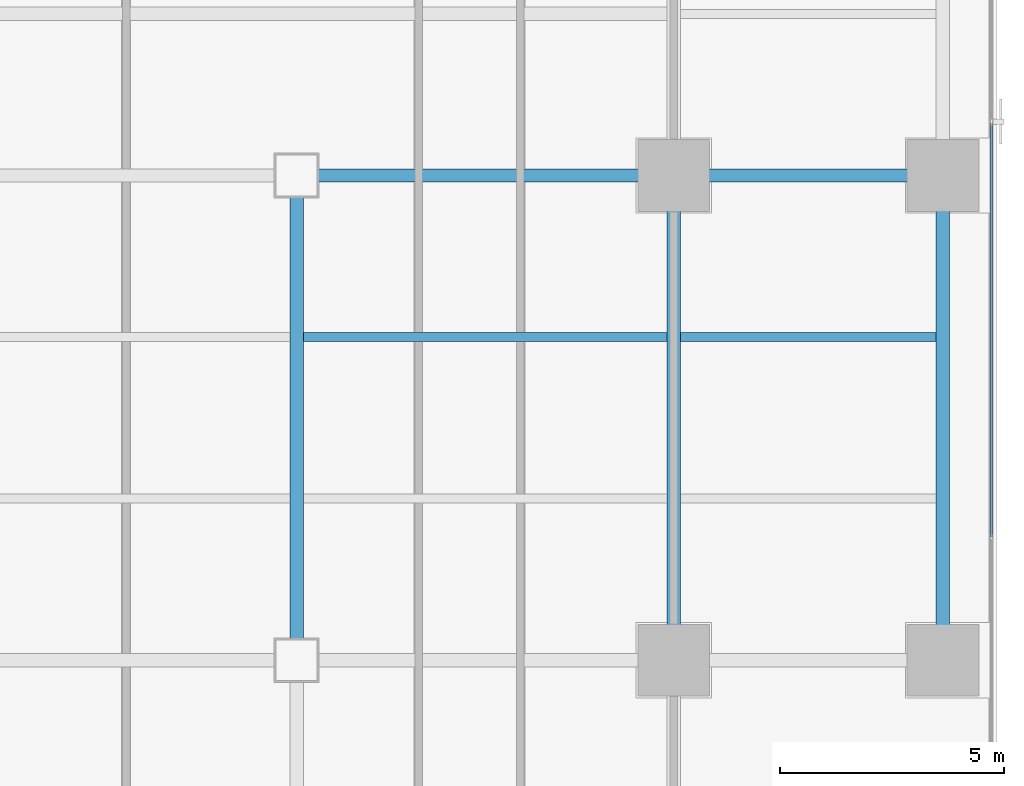
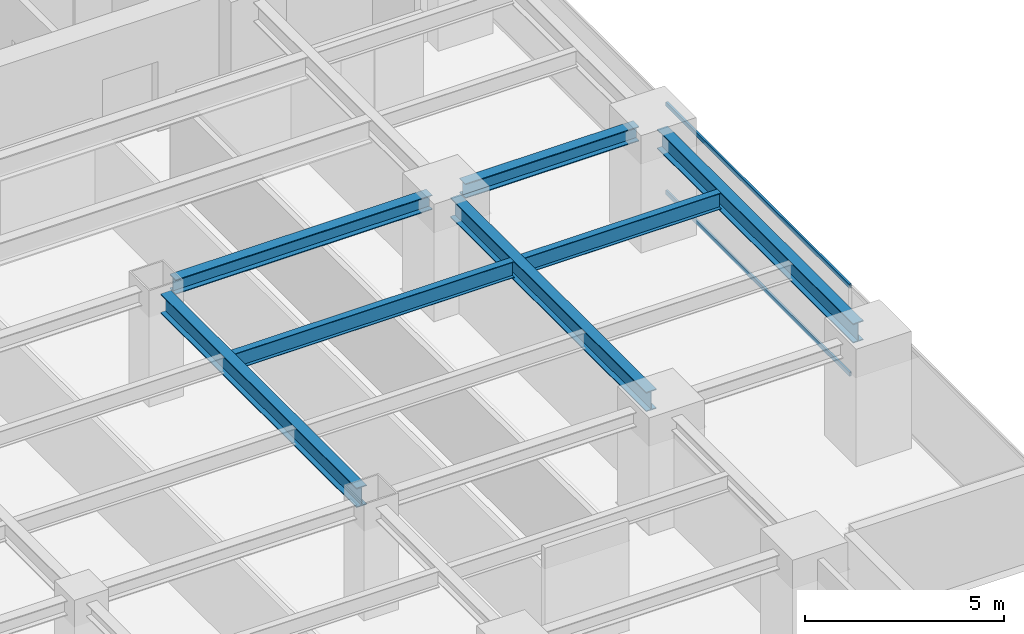
# One storey, part 12 of 27: 7 beams, 2 members, 1 element without a shape of its own.
"""IFC4 building model written with IfcOpenShell, lengths in metres."""

from ifc_helpers import new_model, si_unit, direction, frame, origin, origin_2d, place, context, subcontext, project, spatial, hollow_rectangle, i_section, extrude, source, transform, mapped, material, layer, layer_set, material_profile, profile_set, type_object, element, aggregate, save


model = new_model("IFC4")

# Units and contexts
model_context = context("Model", 3, precision=1e-05, world=origin(), true_north=direction((0.0, 1.0)))
body_context = subcontext(model_context, "Body", "Model", "MODEL_VIEW")
ifc_project = project(units=[si_unit("LENGTHUNIT", "METRE"), si_unit("AREAUNIT", "SQUARE_METRE"), si_unit("VOLUMEUNIT", "CUBIC_METRE"), si_unit("PLANEANGLEUNIT", "RADIAN"), si_unit("MASSUNIT", "GRAM", prefix="KILO")], contexts=[model_context])

# Site, building, storey
site_placement = place(None, origin())
site = spatial("IfcSite", under=ifc_project, at=site_placement, CompositionType="ELEMENT")
building_placement = place(site_placement, origin())
building = spatial("IfcBuilding", under=site, at=building_placement, Name="Sumidabori Civic Tower", CompositionType="ELEMENT")
storey_placement = place(building_placement, frame((0.0, 0.0, 156.800048828125)))
storey = spatial("IfcBuildingStorey", under=building, at=storey_placement, Name="L40", CompositionType="ELEMENT", Elevation=156.800048828125)

# Beams
ifc_material_1 = material(Name="Steel SN490", Category="steel")
ifc_material_profile_1 = material_profile(ifc_material_1, i_section(OverallWidth=0.300048828125, OverallDepth=0.60009765625, WebThickness=0.015380859375, FlangeThickness=0.030029296875, at=origin_2d()), Name="HE 600 B")
ifc_profile_set_1 = profile_set([ifc_material_profile_1], Name="Steel SN490")
beam_type_1 = type_object("IfcBeamType", Name="BM-GIRD-600", PredefinedType="BEAM", material=ifc_profile_set_1)
shared_shape_1 = source(origin(), body_context, "Body", "SweptSolid", [
    extrude(i_section(OverallWidth=0.300048828125, OverallDepth=0.60009765625, WebThickness=0.015380859375, FlangeThickness=0.030029296875, at=origin_2d()), origin(), (0.0, 0.0, 1.0), 9.840087890625),
])
for number, where, z_axis, x_axis, name in (
    (1, (8.39990234375, -10.320068359375, 3.079833984375), (0.0, 1.0, 0.0), (-1.0, 0.0, 0.0), "Primary Girder L40 GY-31"),
    (2, (16.800048828125, -10.320068359375, 3.079833984375), (0.0, 1.0, 0.0), (-1.0, 0.0, 0.0), "Primary Girder L40 GY-33"),
    (3, (22.800048828125, -10.320068359375, 3.079833984375), (0.0, 1.0, 0.0), (-1.0, 0.0, 0.0), "Primary Girder L40 GY-36"),
):
    element("IfcBeam", number, at=place(storey_placement, frame(where, z_axis=z_axis, x_axis=x_axis)), inside=storey, type_object=beam_type_1, Name=name, PredefinedType="BEAM", context=body_context, shape_type="MappedRepresentation", body=[
        mapped(shared_shape_1, transform((0.0, 0.0, 0.0), x_axis=(1.0, 0.0, 0.0), y_axis=(0.0, 1.0, 0.0), z_axis=(0.0, 0.0, 1.0), scale=1.0)),
    ])
ifc_material_profile_2 = material_profile(ifc_material_1, i_section(OverallWidth=0.199951171875, OverallDepth=0.5, WebThickness=0.01025390625, FlangeThickness=0.01611328125, at=origin_2d()), Name="IPE 500")
ifc_profile_set_2 = profile_set([ifc_material_profile_2], Name="Steel SN490")
beam_type_2 = type_object("IfcBeamType", Name="BM-JST-500", PredefinedType="JOIST", material=ifc_profile_set_2)
shared_shape_2 = source(origin(), body_context, "Body", "SweptSolid", [
    extrude(i_section(OverallWidth=0.199951171875, OverallDepth=0.5, WebThickness=0.01025390625, FlangeThickness=0.01611328125, at=origin_2d()), origin(), (0.0, 0.0, 1.0), 5.699951171875),
])
beam_1_placement = place(storey_placement, frame((16.949951171875, -3.60009765625, 3.1298828125), z_axis=(1.0, 0.0, 0.0), x_axis=(0.0, 1.0, 0.0)))
element("IfcBeam", 4, at=beam_1_placement, inside=storey, type_object=beam_type_2, Name="Outer Bay Floor Joist L40 JSTO-42", PredefinedType="JOIST", context=body_context, shape_type="MappedRepresentation", body=[
    mapped(shared_shape_2, transform((0.0, 0.0, 0.0), x_axis=(1.0, 0.0, 0.0), y_axis=(0.0, 1.0, 0.0), z_axis=(0.0, 0.0, 1.0), scale=1.0)),
])
shared_shape_3 = source(origin(), body_context, "Body", "SweptSolid", [
    extrude(i_section(OverallWidth=0.199951171875, OverallDepth=0.5, WebThickness=0.01025390625, FlangeThickness=0.01611328125, at=origin_2d()), origin(), (0.0, 0.0, 1.0), 8.099853515625),
])
beam_2_placement = place(storey_placement, frame((8.550048828125, -3.60009765625, 3.1298828125), z_axis=(1.0, 0.0, 0.0), x_axis=(0.0, 1.0, 0.0)))
element("IfcBeam", 5, at=beam_2_placement, inside=storey, type_object=beam_type_2, Name="South Bay Floor Joist L40 JSTS-60", PredefinedType="JOIST", context=body_context, shape_type="MappedRepresentation", body=[
    mapped(shared_shape_3, transform((0.0, 0.0, 0.0), x_axis=(1.0, 0.0, 0.0), y_axis=(0.0, 1.0, 0.0), z_axis=(0.0, 0.0, 1.0), scale=1.0)),
])
ifc_material_profile_3 = material_profile(ifc_material_1, i_section(OverallWidth=0.300048828125, OverallDepth=0.449951171875, WebThickness=0.013916015625, FlangeThickness=0.02587890625, at=origin_2d()), Name="HE 450 B")
ifc_profile_set_3 = profile_set([ifc_material_profile_3], Name="Steel SN490")
beam_type_3 = type_object("IfcBeamType", Name="BM-GIRD-450", PredefinedType="BEAM", material=ifc_profile_set_3)
shared_shape_4 = source(origin(), body_context, "Body", "SweptSolid", [
    extrude(i_section(OverallWidth=0.300048828125, OverallDepth=0.449951171875, WebThickness=0.013916015625, FlangeThickness=0.02587890625, at=origin_2d()), origin(), (0.0, 0.0, 1.0), 7.440185546875),
])
beam_3_placement = place(storey_placement, frame((8.8798828125, 0.0, 3.155029296875), z_axis=(1.0, 0.0, 0.0), x_axis=(0.0, 1.0, 0.0)))
element("IfcBeam", 6, at=beam_3_placement, inside=storey, type_object=beam_type_3, Name="Primary Girder L40 GX-15", PredefinedType="BEAM", context=body_context, shape_type="MappedRepresentation", body=[
    mapped(shared_shape_4, transform((0.0, 0.0, 0.0), x_axis=(1.0, 0.0, 0.0), y_axis=(0.0, 1.0, 0.0), z_axis=(0.0, 0.0, 1.0), scale=1.0)),
])
shared_shape_5 = source(origin(), body_context, "Body", "SweptSolid", [
    extrude(i_section(OverallWidth=0.300048828125, OverallDepth=0.449951171875, WebThickness=0.013916015625, FlangeThickness=0.02587890625, at=origin_2d()), origin(), (0.0, 0.0, 1.0), 5.0400390625),
])
beam_4_placement = place(storey_placement, frame((17.280029296875, 0.0, 3.155029296875), z_axis=(1.0, 0.0, 0.0), x_axis=(0.0, 1.0, 0.0)))
element("IfcBeam", 7, at=beam_4_placement, inside=storey, type_object=beam_type_3, Name="Primary Girder L40 GX-16", PredefinedType="BEAM", context=body_context, shape_type="MappedRepresentation", body=[
    mapped(shared_shape_5, transform((0.0, 0.0, 0.0), x_axis=(1.0, 0.0, 0.0), y_axis=(0.0, 1.0, 0.0), z_axis=(0.0, 0.0, 1.0), scale=1.0)),
])

# Curtain wall, members
ifc_material_2 = material(Name="Anodised Bronze Aluminium AW-6063-T6", Category="aluminium")
ifc_layer = layer(ifc_material_2, 0.179931640625, Name="Anodised Bronze Aluminium AW-6063-T6")
ifc_layer_set = layer_set([ifc_layer], Name="Anodised Bronze Aluminium AW-6063-T6")
curtain_wall_type = type_object("IfcCurtainWallType", Name="CW-SYS-3", PredefinedType="NOTDEFINED", material=ifc_layer_set)
curtain_wall_placement = place(storey_placement, origin())
curtain_wall = element("IfcCurtainWall", 8, at=curtain_wall_placement, inside=storey, type_object=curtain_wall_type, Name="Curtain Wall CW:L40:R04", PredefinedType="NOTDEFINED")
ifc_material_profile_4 = material_profile(ifc_material_2, hollow_rectangle(XDim=0.06005859375, YDim=0.1298828125, WallThickness=0.0048828125, at=origin_2d()), Name="ALU TRANSOM 130x60")
ifc_profile_set_4 = profile_set([ifc_material_profile_4], Name="Anodised Bronze Aluminium AW-6063-T6")
member_type = type_object("IfcMemberType", Name="CW-TRN-130", PredefinedType="USERDEFINED", material=ifc_profile_set_4)
shared_shape_6 = source(origin(), body_context, "Body", "SweptSolid", [
    extrude(hollow_rectangle(XDim=0.06005859375, YDim=0.1298828125, WallThickness=0.0048828125, at=origin_2d()), origin(), (0.0, 0.0, 1.0), 9.219970703125),
])
member_1_placement = place(storey_placement, frame((23.8798828125, -8.052490234375, 0.030029296875), z_axis=(0.0, 1.0, 0.0), x_axis=(-1.0, 0.0, 0.0)))
member_1 = element("IfcMember", 9, at=member_1_placement, type_object=member_type, Name="CW-3 transom 2.1", ObjectType="TRANSOM", PredefinedType="USERDEFINED", context=body_context, shape_type="MappedRepresentation", body=[
    mapped(shared_shape_6, transform((0.0, 0.0, 0.0), x_axis=(1.0, 0.0, 0.0), y_axis=(0.0, 1.0, 0.0), z_axis=(0.0, 0.0, 1.0), scale=1.0)),
])
member_2_placement = place(storey_placement, frame((23.8798828125, -8.052490234375, 2.72998046875), z_axis=(0.0, 1.0, 0.0), x_axis=(-1.0, 0.0, 0.0)))
member_2 = element("IfcMember", 10, at=member_2_placement, type_object=member_type, Name="CW-3 transom 2.2", ObjectType="TRANSOM", PredefinedType="USERDEFINED", context=body_context, shape_type="MappedRepresentation", body=[
    mapped(shared_shape_6, transform((0.0, 0.0, 0.0), x_axis=(1.0, 0.0, 0.0), y_axis=(0.0, 1.0, 0.0), z_axis=(0.0, 0.0, 1.0), scale=1.0)),
])
aggregate(curtain_wall, [member_1, member_2])

save(model, "model.ifc")
